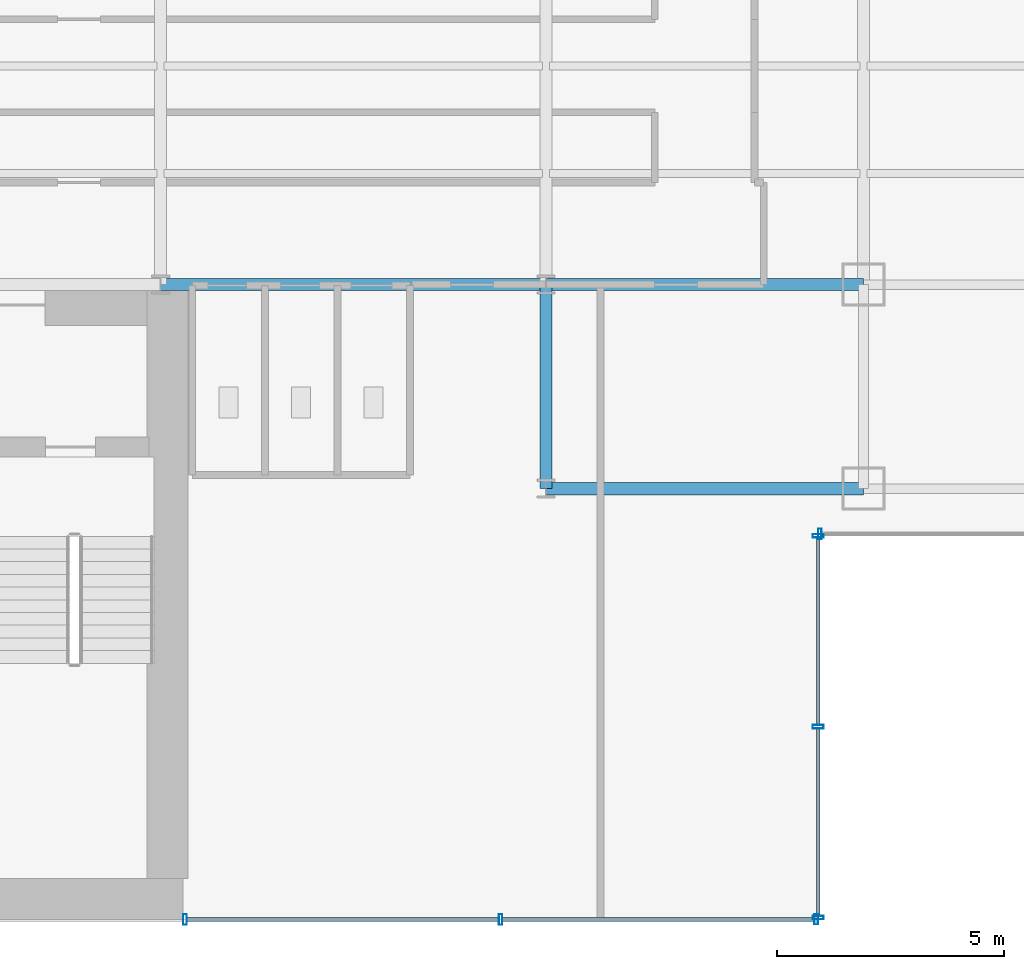
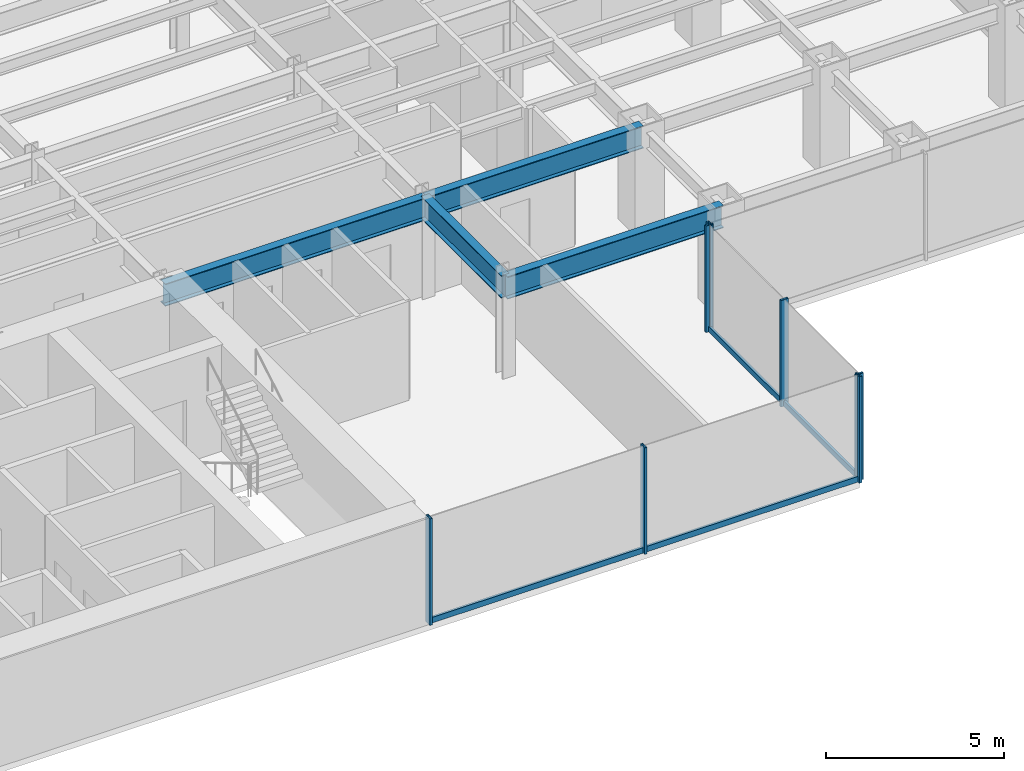
# One storey, part 6 of 22: 11 members, 4 beams, 3 elements without a shape of their own.
"""IFC4 building model written with IfcOpenShell, lengths in metres."""

from ifc_helpers import new_model, si_unit, derived_unit, direction, frame, origin, origin_2d, place, context, subcontext, project, spatial, hollow_rectangle, i_section, extrude, source, transform, mapped, material, material_profile, profile_set, type_object, element, aggregate, save


model = new_model("IFC4")

# Units and contexts
model_context = context("Model", 3, precision=1e-05, world=origin(), true_north=direction((0.0, 1.0)))
body_context = subcontext(model_context, "Body", "Model", "MODEL_VIEW")
ifc_project = project(units=[si_unit("LENGTHUNIT", "METRE"), si_unit("AREAUNIT", "SQUARE_METRE"), si_unit("VOLUMEUNIT", "CUBIC_METRE"), si_unit("PLANEANGLEUNIT", "RADIAN"), si_unit("MASSUNIT", "GRAM", prefix="KILO"), derived_unit("THERMALTRANSMITTANCEUNIT", [(si_unit("POWERUNIT", "WATT"), 1), (si_unit("LENGTHUNIT", "METRE"), -2), (si_unit("THERMODYNAMICTEMPERATUREUNIT", "KELVIN"), -1)])], contexts=[model_context])

# Site, building, storey
site_placement = place(None, origin())
site = spatial("IfcSite", under=ifc_project, at=site_placement, CompositionType="ELEMENT")
building_placement = place(site_placement, origin())
building = spatial("IfcBuilding", under=site, at=building_placement, Name="Skarnbrae Concourse Arena and Tower", CompositionType="ELEMENT")
storey_placement = place(building_placement, frame((0.0, 0.0, 76.300048828125)))
storey = spatial("IfcBuildingStorey", under=building, at=storey_placement, Name="L18", CompositionType="ELEMENT", Elevation=76.300048828125)

# Beams
ifc_material_1 = material(Name="Steel CSA G40.21 350W", Category="steel")
ifc_material_profile_1 = material_profile(ifc_material_1, i_section(OverallWidth=0.26806640625, OverallDepth=0.77001953125, WebThickness=0.015625, FlangeThickness=0.025390625, at=origin_2d()), Name="W760X196")
ifc_profile_set_1 = profile_set([ifc_material_profile_1], Name="Steel CSA G40.21 350W")
beam_type = type_object("IfcBeamType", Name="BM-GIRD-W760X196", PredefinedType="BEAM", material=ifc_profile_set_1)
shared_shape_1 = source(origin(), body_context, "Body", "SweptSolid", [
    extrude(i_section(OverallWidth=0.26806640625, OverallDepth=0.77001953125, WebThickness=0.015625, FlangeThickness=0.025390625, at=origin_2d()), origin(), (0.0, 0.0, 1.0), 7.0),
])
for number, where, z_axis, x_axis, name in (
    (1, (42.0, 9.5, 3.014892578125), (1.0, 0.0, 0.0), (0.0, 1.0, 0.0), "L18 Primary E-W girder Y9.5-2"),
    (2, (42.0, 14.0, 3.014892578125), (1.0, 0.0, 0.0), (0.0, 1.0, 0.0), "L18 Primary E-W girder Y14.0-7"),
):
    element("IfcBeam", number, at=place(storey_placement, frame(where, z_axis=z_axis, x_axis=x_axis)), inside=storey, type_object=beam_type, Name=name, PredefinedType="BEAM", context=body_context, shape_type="MappedRepresentation", body=[
        mapped(shared_shape_1, transform((0.0, 0.0, 0.0))),
    ])
shared_shape_2 = source(origin(), body_context, "Body", "SweptSolid", [
    extrude(i_section(OverallWidth=0.26806640625, OverallDepth=0.77001953125, WebThickness=0.015625, FlangeThickness=0.025390625, at=origin_2d()), origin(), (0.0, 0.0, 1.0), 8.5),
])
beam_1_placement = place(storey_placement, frame((33.5, 14.0, 3.014892578125), z_axis=(1.0, 0.0, 0.0), x_axis=(0.0, 1.0, 0.0)))
element("IfcBeam", 3, at=beam_1_placement, inside=storey, type_object=beam_type, Name="L18 Primary E-W girder Y14.0-6", PredefinedType="BEAM", context=body_context, shape_type="MappedRepresentation", body=[
    mapped(shared_shape_2, transform((0.0, 0.0, 0.0))),
])
shared_shape_3 = source(origin(), body_context, "Body", "SweptSolid", [
    extrude(i_section(OverallWidth=0.26806640625, OverallDepth=0.77001953125, WebThickness=0.015625, FlangeThickness=0.025390625, at=origin_2d()), origin(), (0.0, 0.0, 1.0), 4.5),
])
beam_2_placement = place(storey_placement, frame((42.0, 9.5, 3.014892578125), z_axis=(0.0, 1.0, 0.0), x_axis=(-1.0, 0.0, 0.0)))
element("IfcBeam", 4, at=beam_2_placement, inside=storey, type_object=beam_type, Name="L18 Primary N-S girder X42.0-1", PredefinedType="BEAM", context=body_context, shape_type="MappedRepresentation", body=[
    mapped(shared_shape_3, transform((0.0, 0.0, 0.0))),
])

# Curtain wall, members
ifc_material_2 = material(Name="Bronze anodised aluminium 6063-T6", Category="aluminium")
curtain_wall_type = type_object("IfcCurtainWallType", Name="CW-SYS-02-LOWZONE", PredefinedType="USERDEFINED", material=ifc_material_2)
curtain_wall_1_placement = place(storey_placement, origin())
curtain_wall_1 = element("IfcCurtainWall", 5, at=curtain_wall_1_placement, inside=storey, type_object=curtain_wall_type, Name="L18 Unitised curtain wall CW-L18-SE-SPINE", ObjectType="UNITISED CURTAIN WALL", PredefinedType="USERDEFINED")
ifc_material_profile_2 = material_profile(ifc_material_2, hollow_rectangle(XDim=0.080078125, YDim=0.239990234375, WallThickness=0.0048828125, at=origin_2d()), Name="ALU-MULL-80X240")
ifc_profile_set_2 = profile_set([ifc_material_profile_2], Name="Bronze anodised aluminium 6063-T6")
member_type_1 = type_object("IfcMemberType", Name="CWM-CW-02", PredefinedType="MULLION", material=ifc_profile_set_2)
shared_shape_4 = source(origin(), body_context, "Body", "SweptSolid", [
    extrude(hollow_rectangle(XDim=0.080078125, YDim=0.239990234375, WallThickness=0.0048828125, at=origin_2d()), origin(), (0.0, 0.0, 1.0), 3.64990234375),
])
member_1_placement = place(storey_placement, frame((34.0400390625, 0.0, 0.0), z_axis=(0.0, 0.0, 1.0), x_axis=(1.0, 0.0, 0.0)))
member_1 = element("IfcMember", 6, at=member_1_placement, type_object=member_type_1, Name="CW-L18-SE-SPINE Mullion 1", PredefinedType="MULLION", context=body_context, shape_type="MappedRepresentation", body=[
    mapped(shared_shape_4, transform((0.0, 0.0, 0.0))),
])
member_2_placement = place(storey_placement, frame((41.0, 0.0, 0.0), z_axis=(0.0, 0.0, 1.0), x_axis=(1.0, 0.0, 0.0)))
member_2 = element("IfcMember", 7, at=member_2_placement, type_object=member_type_1, Name="CW-L18-SE-SPINE Mullion 2", PredefinedType="MULLION", context=body_context, shape_type="MappedRepresentation", body=[
    mapped(shared_shape_4, transform((0.0, 0.0, 0.0))),
])
member_3_placement = place(storey_placement, frame((47.9599609375, 0.0, 0.0), z_axis=(0.0, 0.0, 1.0), x_axis=(1.0, 0.0, 0.0)))
member_3 = element("IfcMember", 8, at=member_3_placement, type_object=member_type_1, Name="CW-L18-SE-SPINE Mullion 3", PredefinedType="MULLION", context=body_context, shape_type="MappedRepresentation", body=[
    mapped(shared_shape_4, transform((0.0, 0.0, 0.0))),
])

curtain_wall_2_placement = place(storey_placement, origin())
curtain_wall_2 = element("IfcCurtainWall", 9, at=curtain_wall_2_placement, inside=storey, type_object=curtain_wall_type, Name="L18 Unitised curtain wall CW-L18-E02", ObjectType="UNITISED CURTAIN WALL", PredefinedType="USERDEFINED")
member_4_placement = place(storey_placement, frame((48.0, 0.0400390625, 0.0), z_axis=(0.0, 0.0, 1.0), x_axis=(0.0, 1.0, 0.0)))
member_4 = element("IfcMember", 10, at=member_4_placement, type_object=member_type_1, Name="CW-L18-E02 Mullion 1", PredefinedType="MULLION", context=body_context, shape_type="MappedRepresentation", body=[
    mapped(shared_shape_4, transform((0.0, 0.0, 0.0))),
])
member_5_placement = place(storey_placement, frame((48.0, 4.25, 0.0), z_axis=(0.0, 0.0, 1.0), x_axis=(0.0, 1.0, 0.0)))
member_5 = element("IfcMember", 11, at=member_5_placement, type_object=member_type_1, Name="CW-L18-E02 Mullion 2", PredefinedType="MULLION", context=body_context, shape_type="MappedRepresentation", body=[
    mapped(shared_shape_4, transform((0.0, 0.0, 0.0))),
])
member_6_placement = place(storey_placement, frame((48.0, 8.4599609375, 0.0), z_axis=(0.0, 0.0, 1.0), x_axis=(0.0, 1.0, 0.0)))
member_6 = element("IfcMember", 12, at=member_6_placement, type_object=member_type_1, Name="CW-L18-E02 Mullion 3", PredefinedType="MULLION", context=body_context, shape_type="MappedRepresentation", body=[
    mapped(shared_shape_4, transform((0.0, 0.0, 0.0))),
])

# Curtain wall, member
curtain_wall_3_placement = place(storey_placement, origin())
curtain_wall_3 = element("IfcCurtainWall", 13, at=curtain_wall_3_placement, inside=storey, type_object=curtain_wall_type, Name="L18 Unitised curtain wall CW-L18-E03", ObjectType="UNITISED CURTAIN WALL", PredefinedType="USERDEFINED")
member_7_placement = place(storey_placement, frame((48.0400390625, 8.5, 0.0), z_axis=(0.0, 0.0, 1.0), x_axis=(1.0, 0.0, 0.0)))
member_7 = element("IfcMember", 14, at=member_7_placement, type_object=member_type_1, Name="CW-L18-E03 Mullion 1", PredefinedType="MULLION", context=body_context, shape_type="MappedRepresentation", body=[
    mapped(shared_shape_4, transform((0.0, 0.0, 0.0))),
])
aggregate(curtain_wall_3, [member_7])

# Member
ifc_material_profile_3 = material_profile(ifc_material_2, hollow_rectangle(XDim=0.080078125, YDim=0.18994140625, WallThickness=0.0048828125, at=origin_2d()), Name="ALU-TRAN-80X190")
ifc_profile_set_3 = profile_set([ifc_material_profile_3], Name="Bronze anodised aluminium 6063-T6")
member_type_2 = type_object("IfcMemberType", Name="CWT-CW-02", PredefinedType="USERDEFINED", material=ifc_profile_set_3)
shared_shape_5 = source(origin(), body_context, "Body", "SweptSolid", [
    extrude(hollow_rectangle(XDim=0.080078125, YDim=0.18994140625, WallThickness=0.0048828125, at=origin_2d()), origin(), (0.0, 0.0, 1.0), 6.8798828125),
])
member_8_placement = place(storey_placement, frame((34.080078125, 0.0, 0.094970703125), z_axis=(1.0, 0.0, 0.0), x_axis=(0.0, 1.0, 0.0)))
member_8 = element("IfcMember", 15, at=member_8_placement, type_object=member_type_2, Name="CW-L18-SE-SPINE Transom 1", ObjectType="TRANSOM", PredefinedType="USERDEFINED", context=body_context, shape_type="MappedRepresentation", body=[
    mapped(shared_shape_5, transform((0.0, 0.0, 0.0))),
])

member_9_placement = place(storey_placement, frame((41.0400390625, 0.0, 0.094970703125), z_axis=(1.0, 0.0, 0.0), x_axis=(0.0, 1.0, 0.0)))
member_9 = element("IfcMember", 16, at=member_9_placement, type_object=member_type_2, Name="CW-L18-SE-SPINE Transom 2", ObjectType="TRANSOM", PredefinedType="USERDEFINED", context=body_context, shape_type="MappedRepresentation", body=[
    mapped(shared_shape_5, transform((0.0, 0.0, 0.0))),
])

aggregate(curtain_wall_1, [member_1, member_2, member_3, member_8, member_9])

shared_shape_6 = source(origin(), body_context, "Body", "SweptSolid", [
    extrude(hollow_rectangle(XDim=0.080078125, YDim=0.18994140625, WallThickness=0.0048828125, at=origin_2d()), origin(), (0.0, 0.0, 1.0), 4.1298828125),
])
member_10_placement = place(storey_placement, frame((48.0, 0.080078125, 0.094970703125), z_axis=(0.0, 1.0, 0.0), x_axis=(-1.0, 0.0, 0.0)))
member_10 = element("IfcMember", 17, at=member_10_placement, type_object=member_type_2, Name="CW-L18-E02 Transom 1", ObjectType="TRANSOM", PredefinedType="USERDEFINED", context=body_context, shape_type="MappedRepresentation", body=[
    mapped(shared_shape_6, transform((0.0, 0.0, 0.0))),
])

member_11_placement = place(storey_placement, frame((48.0, 4.2900390625, 0.094970703125), z_axis=(0.0, 1.0, 0.0), x_axis=(-1.0, 0.0, 0.0)))
member_11 = element("IfcMember", 18, at=member_11_placement, type_object=member_type_2, Name="CW-L18-E02 Transom 2", ObjectType="TRANSOM", PredefinedType="USERDEFINED", context=body_context, shape_type="MappedRepresentation", body=[
    mapped(shared_shape_6, transform((0.0, 0.0, 0.0))),
])

aggregate(curtain_wall_2, [member_4, member_5, member_6, member_10, member_11])

save(model, "model.ifc")
